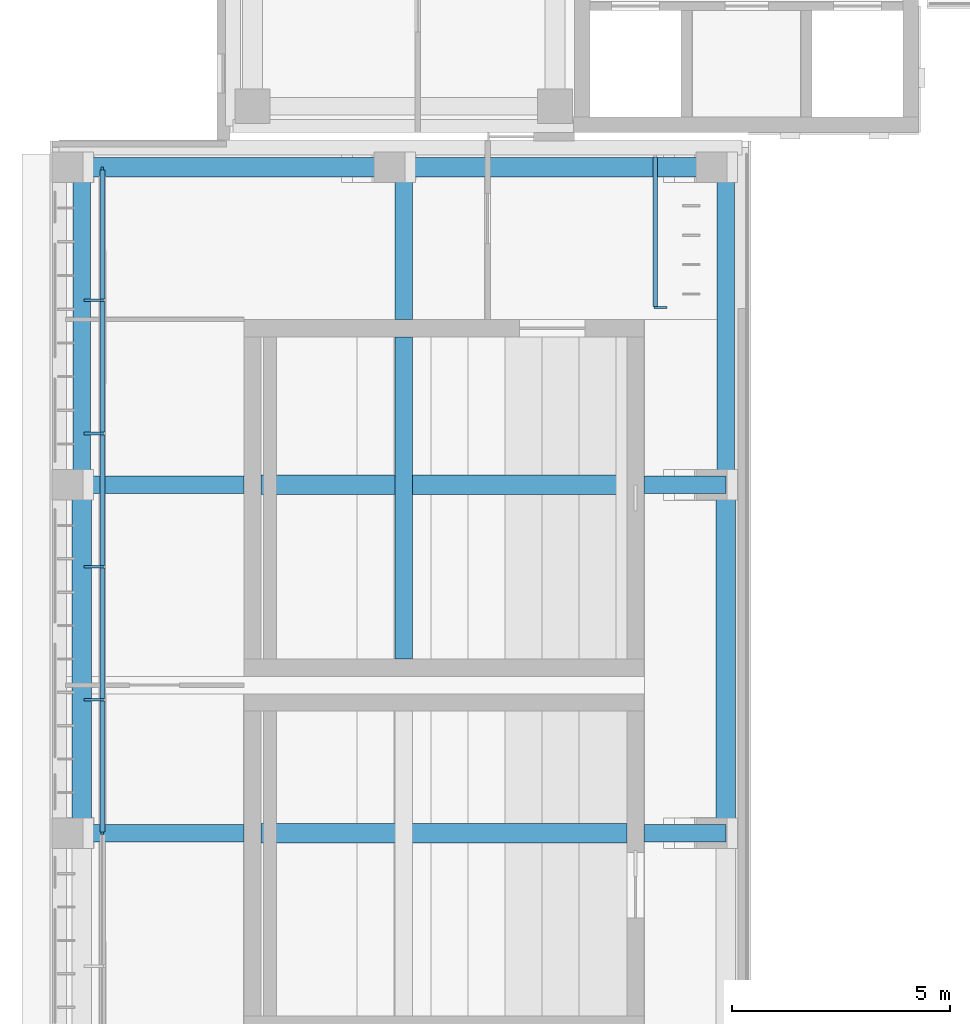
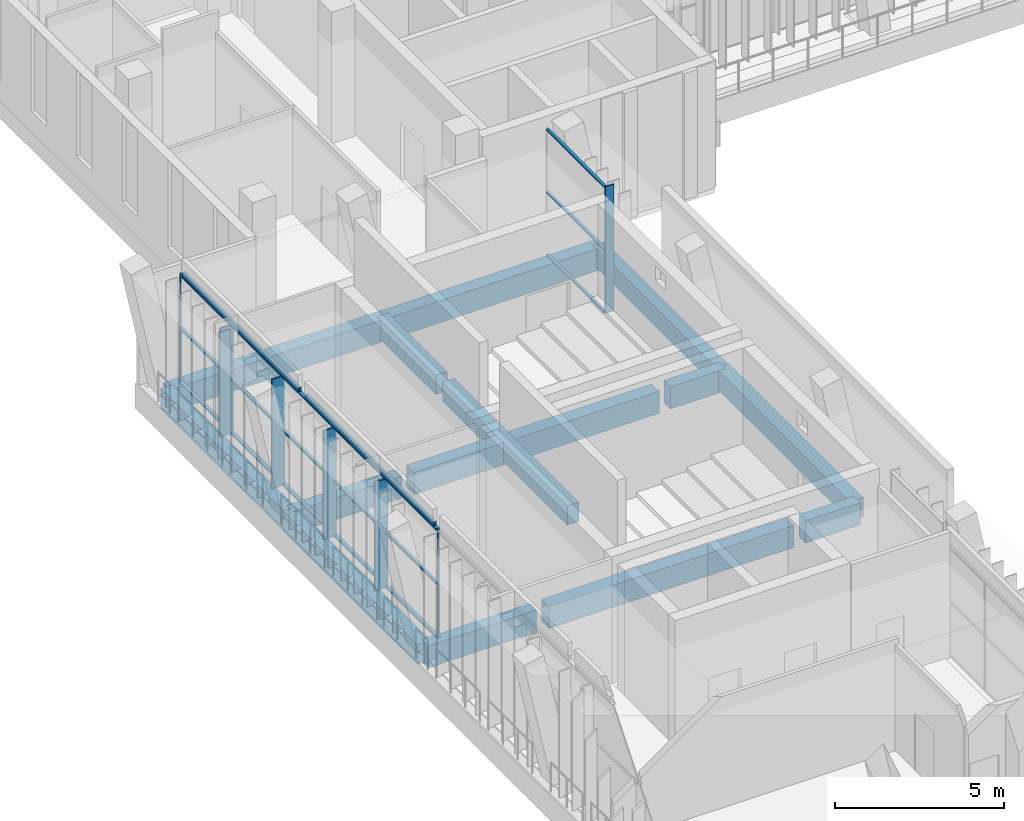
# One storey, part 19 of 74: 25 members, 16 beams, 2 elements without a shape of their own.
"""IFC4 building model written with IfcOpenShell, lengths in metres."""

from ifc_helpers import new_model, si_unit, direction, frame, origin, origin_2d, place, context, subcontext, project, spatial, rectangle, hollow_rectangle, extrude, material, material_profile, profile_set, type_object, element, aggregate, save


model = new_model("IFC4")

# Units and contexts
model_context = context("Model", 3, precision=1e-05, world=origin(), true_north=direction((0.0, 1.0)))
body_context = subcontext(model_context, "Body", "Model", "MODEL_VIEW")
ifc_project = project(units=[si_unit("LENGTHUNIT", "METRE"), si_unit("AREAUNIT", "SQUARE_METRE"), si_unit("VOLUMEUNIT", "CUBIC_METRE"), si_unit("PLANEANGLEUNIT", "RADIAN"), si_unit("MASSUNIT", "GRAM", prefix="KILO")], contexts=[model_context])

# Site, building, storey
site_placement = place(None, origin())
site = spatial("IfcSite", under=ifc_project, at=site_placement, CompositionType="ELEMENT")
building_placement = place(site_placement, origin())
building = spatial("IfcBuilding", under=site, at=building_placement, Name="Lantern Court Media Centre", CompositionType="ELEMENT")
storey_placement = place(building_placement, frame((0.0, 0.0, 19.199951171875)))
storey = spatial("IfcBuildingStorey", under=building, at=storey_placement, Name="L04", CompositionType="ELEMENT", Elevation=19.199951171875)

# Curtain wall, member
ifc_material_1 = material(Name="Curtain wall bay 2400")
curtain_wall_type_1 = type_object("IfcCurtainWallType", Name="Curtain wall bay 2400", PredefinedType="NOTDEFINED", material=ifc_material_1)
curtain_wall_1_placement = place(storey_placement, origin())
curtain_wall_1 = element("IfcCurtainWall", 1, at=curtain_wall_1_placement, inside=storey, type_object=curtain_wall_type_1, Name="Curtain wall W inner L04", PredefinedType="NOTDEFINED")
ifc_material_2 = material(Name="Anodised aluminium", Category="aluminium")
ifc_material_profile_1 = material_profile(ifc_material_2, rectangle(XDim=0.300048828125, YDim=0.050048828125, at=origin_2d()), Name="AL 50x300")
ifc_profile_set_1 = profile_set([ifc_material_profile_1], Name="Anodised aluminium")
member_type_1 = type_object("IfcMemberType", Name="Curtain wall mullion 50x300", PredefinedType="MULLION", material=ifc_profile_set_1)
member_1_placement = place(storey_placement, frame((17.969970703125, 92.074951171875, 0.0), z_axis=(0.0, 0.0, 1.0), x_axis=(-1.0, 0.0, 0.0)))
member_1 = element("IfcMember", 2, at=member_1_placement, type_object=member_type_1, Name="CW2 mullion 1", PredefinedType="MULLION", context=body_context, shape_type="SweptSolid", body=[
    extrude(rectangle(XDim=0.300048828125, YDim=0.050048828125, at=origin_2d()), origin(), (0.0, 0.0, 1.0), 4.580078125),
])

# Curtain wall, members
ifc_material_3 = material(Name="Curtain wall bay 3000")
curtain_wall_type_2 = type_object("IfcCurtainWallType", Name="Curtain wall bay 3000", PredefinedType="NOTDEFINED", material=ifc_material_3)
curtain_wall_2_placement = place(storey_placement, origin())
curtain_wall_2 = element("IfcCurtainWall", 3, at=curtain_wall_2_placement, inside=storey, type_object=curtain_wall_type_2, Name="Curtain wall W outer L04", PredefinedType="NOTDEFINED")
ifc_material_profile_2 = material_profile(ifc_material_2, rectangle(XDim=0.449951171875, YDim=0.06005859375, at=origin_2d()), Name="AL 60x450")
ifc_profile_set_2 = profile_set([ifc_material_profile_2], Name="Anodised aluminium")
member_type_2 = type_object("IfcMemberType", Name="Curtain wall mullion 60x450", PredefinedType="MULLION", material=ifc_profile_set_2)
member_2_placement = place(storey_placement, frame((4.955078125, 83.06005859375, 0.0), z_axis=(0.0, 0.0, 1.0), x_axis=(-1.0, 0.0, 0.0)))
member_2 = element("IfcMember", 4, at=member_2_placement, type_object=member_type_2, Name="CW1 mullion 7", PredefinedType="MULLION", context=body_context, shape_type="SweptSolid", body=[
    extrude(rectangle(XDim=0.449951171875, YDim=0.06005859375, at=origin_2d()), origin(), (0.0, 0.0, 1.0), 3.949951171875),
])
member_3_placement = place(storey_placement, frame((4.955078125, 86.1201171875, 0.0), z_axis=(0.0, 0.0, 1.0), x_axis=(-1.0, 0.0, 0.0)))
member_3 = element("IfcMember", 5, at=member_3_placement, type_object=member_type_2, Name="CW1 mullion 8", PredefinedType="MULLION", context=body_context, shape_type="SweptSolid", body=[
    extrude(rectangle(XDim=0.449951171875, YDim=0.06005859375, at=origin_2d()), origin(), (0.0, 0.0, 1.0), 3.949951171875),
])
member_4_placement = place(storey_placement, frame((4.955078125, 89.179931640625, 0.0), z_axis=(0.0, 0.0, 1.0), x_axis=(-1.0, 0.0, 0.0)))
member_4 = element("IfcMember", 6, at=member_4_placement, type_object=member_type_2, Name="CW1 mullion 9", PredefinedType="MULLION", context=body_context, shape_type="SweptSolid", body=[
    extrude(rectangle(XDim=0.449951171875, YDim=0.06005859375, at=origin_2d()), origin(), (0.0, 0.0, 1.0), 3.949951171875),
])
member_5_placement = place(storey_placement, frame((4.955078125, 92.239990234375, 0.0), z_axis=(0.0, 0.0, 1.0), x_axis=(-1.0, 0.0, 0.0)))
member_5 = element("IfcMember", 7, at=member_5_placement, type_object=member_type_2, Name="CW1 mullion 10", PredefinedType="MULLION", context=body_context, shape_type="SweptSolid", body=[
    extrude(rectangle(XDim=0.449951171875, YDim=0.06005859375, at=origin_2d()), origin(), (0.0, 0.0, 1.0), 3.949951171875),
])
ifc_material_profile_3 = material_profile(ifc_material_2, rectangle(XDim=0.06005859375, YDim=0.06005859375, at=origin_2d()), Name="AL 60x60")
ifc_profile_set_3 = profile_set([ifc_material_profile_3], Name="Anodised aluminium")
member_type_3 = type_object("IfcMemberType", Name="Curtain wall mullion 60x60", PredefinedType="MULLION", material=ifc_profile_set_3)
member_6_placement = place(storey_placement, frame((5.14990234375, 80.0, 0.0), z_axis=(0.0, 0.0, 1.0), x_axis=(-1.0, 0.0, 0.0)))
member_6 = element("IfcMember", 8, at=member_6_placement, type_object=member_type_3, Name="CW1 mullion 6", PredefinedType="MULLION", context=body_context, shape_type="SweptSolid", body=[
    extrude(rectangle(XDim=0.06005859375, YDim=0.06005859375, at=origin_2d()), origin(), (0.0, 0.0, 1.0), 3.949951171875),
])
member_7_placement = place(storey_placement, frame((5.14990234375, 95.27001953125, 0.0), z_axis=(0.0, 0.0, 1.0), x_axis=(-1.0, 0.0, 0.0)))
member_7 = element("IfcMember", 9, at=member_7_placement, type_object=member_type_3, Name="CW1 mullion 11", PredefinedType="MULLION", context=body_context, shape_type="SweptSolid", body=[
    extrude(rectangle(XDim=0.06005859375, YDim=0.06005859375, at=origin_2d()), origin(), (0.0, 0.0, 1.0), 3.949951171875),
])

# Member
ifc_material_profile_4 = material_profile(ifc_material_2, rectangle(XDim=0.10009765625, YDim=0.050048828125, at=origin_2d()), Name="AL 50x100")
ifc_profile_set_4 = profile_set([ifc_material_profile_4], Name="Anodised aluminium")
member_type_4 = type_object("IfcMemberType", Name="Curtain wall transom 100x50", PredefinedType="USERDEFINED", material=ifc_profile_set_4)
member_8_placement = place(storey_placement, frame((17.85009765625, 92.10009765625, 0.025146484375), z_axis=(0.0, 1.0, 0.0), x_axis=(-1.0, 0.0, 0.0)))
member_8 = element("IfcMember", 10, at=member_8_placement, type_object=member_type_4, Name="CW2 transom 1.1", ObjectType="TRANSOM", PredefinedType="USERDEFINED", context=body_context, shape_type="SweptSolid", body=[
    extrude(rectangle(XDim=0.10009765625, YDim=0.050048828125, at=origin_2d()), origin(), (0.0, 0.0, 1.0), 3.429931640625),
])

member_9_placement = place(storey_placement, frame((17.85009765625, 92.10009765625, 2.2900390625), z_axis=(0.0, 1.0, 0.0), x_axis=(-1.0, 0.0, 0.0)))
member_9 = element("IfcMember", 11, at=member_9_placement, type_object=member_type_4, Name="CW2 transom 1.2", ObjectType="TRANSOM", PredefinedType="USERDEFINED", context=body_context, shape_type="SweptSolid", body=[
    extrude(rectangle(XDim=0.10009765625, YDim=0.050048828125, at=origin_2d()), origin(), (0.0, 0.0, 1.0), 3.429931640625),
])

member_10_placement = place(storey_placement, frame((17.85009765625, 92.10009765625, 4.554931640625), z_axis=(0.0, 1.0, 0.0), x_axis=(-1.0, 0.0, 0.0)))
member_10 = element("IfcMember", 12, at=member_10_placement, type_object=member_type_4, Name="CW2 transom 1.3", ObjectType="TRANSOM", PredefinedType="USERDEFINED", context=body_context, shape_type="SweptSolid", body=[
    extrude(rectangle(XDim=0.10009765625, YDim=0.050048828125, at=origin_2d()), origin(), (0.0, 0.0, 1.0), 3.429931640625),
])

aggregate(curtain_wall_1, [member_1, member_8, member_9, member_10])

ifc_material_profile_5 = material_profile(ifc_material_2, rectangle(XDim=0.1201171875, YDim=0.06005859375, at=origin_2d()), Name="AL 60x120")
ifc_profile_set_5 = profile_set([ifc_material_profile_5], Name="Anodised aluminium")
member_type_5 = type_object("IfcMemberType", Name="Curtain wall transom 60x120", PredefinedType="USERDEFINED", material=ifc_profile_set_5)
member_11_placement = place(storey_placement, frame((5.14990234375, 80.030029296875, 0.030029296875), z_axis=(0.0, 1.0, 0.0), x_axis=(-1.0, 0.0, 0.0)))
member_11 = element("IfcMember", 13, at=member_11_placement, type_object=member_type_5, Name="CW1 transom 6.1", ObjectType="TRANSOM", PredefinedType="USERDEFINED", context=body_context, shape_type="SweptSolid", body=[
    extrude(rectangle(XDim=0.1201171875, YDim=0.06005859375, at=origin_2d()), origin(), (0.0, 0.0, 1.0), 3.0),
])

member_12_placement = place(storey_placement, frame((5.14990234375, 80.030029296875, 1.97509765625), z_axis=(0.0, 1.0, 0.0), x_axis=(-1.0, 0.0, 0.0)))
member_12 = element("IfcMember", 14, at=member_12_placement, type_object=member_type_5, Name="CW1 transom 6.2", ObjectType="TRANSOM", PredefinedType="USERDEFINED", context=body_context, shape_type="SweptSolid", body=[
    extrude(rectangle(XDim=0.1201171875, YDim=0.06005859375, at=origin_2d()), origin(), (0.0, 0.0, 1.0), 3.0),
])

member_13_placement = place(storey_placement, frame((5.14990234375, 80.030029296875, 3.920166015625), z_axis=(0.0, 1.0, 0.0), x_axis=(-1.0, 0.0, 0.0)))
member_13 = element("IfcMember", 15, at=member_13_placement, type_object=member_type_5, Name="CW1 transom 6.3", ObjectType="TRANSOM", PredefinedType="USERDEFINED", context=body_context, shape_type="SweptSolid", body=[
    extrude(rectangle(XDim=0.1201171875, YDim=0.06005859375, at=origin_2d()), origin(), (0.0, 0.0, 1.0), 3.0),
])

member_14_placement = place(storey_placement, frame((5.14990234375, 83.090087890625, 0.030029296875), z_axis=(0.0, 1.0, 0.0), x_axis=(-1.0, 0.0, 0.0)))
member_14 = element("IfcMember", 16, at=member_14_placement, type_object=member_type_5, Name="CW1 transom 7.1", ObjectType="TRANSOM", PredefinedType="USERDEFINED", context=body_context, shape_type="SweptSolid", body=[
    extrude(rectangle(XDim=0.1201171875, YDim=0.06005859375, at=origin_2d()), origin(), (0.0, 0.0, 1.0), 3.0),
])

member_15_placement = place(storey_placement, frame((5.14990234375, 83.090087890625, 1.97509765625), z_axis=(0.0, 1.0, 0.0), x_axis=(-1.0, 0.0, 0.0)))
member_15 = element("IfcMember", 17, at=member_15_placement, type_object=member_type_5, Name="CW1 transom 7.2", ObjectType="TRANSOM", PredefinedType="USERDEFINED", context=body_context, shape_type="SweptSolid", body=[
    extrude(rectangle(XDim=0.1201171875, YDim=0.06005859375, at=origin_2d()), origin(), (0.0, 0.0, 1.0), 3.0),
])

member_16_placement = place(storey_placement, frame((5.14990234375, 83.090087890625, 3.920166015625), z_axis=(0.0, 1.0, 0.0), x_axis=(-1.0, 0.0, 0.0)))
member_16 = element("IfcMember", 18, at=member_16_placement, type_object=member_type_5, Name="CW1 transom 7.3", ObjectType="TRANSOM", PredefinedType="USERDEFINED", context=body_context, shape_type="SweptSolid", body=[
    extrude(rectangle(XDim=0.1201171875, YDim=0.06005859375, at=origin_2d()), origin(), (0.0, 0.0, 1.0), 3.0),
])

member_17_placement = place(storey_placement, frame((5.14990234375, 86.14990234375, 0.030029296875), z_axis=(0.0, 1.0, 0.0), x_axis=(-1.0, 0.0, 0.0)))
member_17 = element("IfcMember", 19, at=member_17_placement, type_object=member_type_5, Name="CW1 transom 8.1", ObjectType="TRANSOM", PredefinedType="USERDEFINED", context=body_context, shape_type="SweptSolid", body=[
    extrude(rectangle(XDim=0.1201171875, YDim=0.06005859375, at=origin_2d()), origin(), (0.0, 0.0, 1.0), 3.0),
])

member_18_placement = place(storey_placement, frame((5.14990234375, 86.14990234375, 1.97509765625), z_axis=(0.0, 1.0, 0.0), x_axis=(-1.0, 0.0, 0.0)))
member_18 = element("IfcMember", 20, at=member_18_placement, type_object=member_type_5, Name="CW1 transom 8.2", ObjectType="TRANSOM", PredefinedType="USERDEFINED", context=body_context, shape_type="SweptSolid", body=[
    extrude(rectangle(XDim=0.1201171875, YDim=0.06005859375, at=origin_2d()), origin(), (0.0, 0.0, 1.0), 3.0),
])

member_19_placement = place(storey_placement, frame((5.14990234375, 86.14990234375, 3.920166015625), z_axis=(0.0, 1.0, 0.0), x_axis=(-1.0, 0.0, 0.0)))
member_19 = element("IfcMember", 21, at=member_19_placement, type_object=member_type_5, Name="CW1 transom 8.3", ObjectType="TRANSOM", PredefinedType="USERDEFINED", context=body_context, shape_type="SweptSolid", body=[
    extrude(rectangle(XDim=0.1201171875, YDim=0.06005859375, at=origin_2d()), origin(), (0.0, 0.0, 1.0), 3.0),
])

member_20_placement = place(storey_placement, frame((5.14990234375, 89.2099609375, 0.030029296875), z_axis=(0.0, 1.0, 0.0), x_axis=(-1.0, 0.0, 0.0)))
member_20 = element("IfcMember", 22, at=member_20_placement, type_object=member_type_5, Name="CW1 transom 9.1", ObjectType="TRANSOM", PredefinedType="USERDEFINED", context=body_context, shape_type="SweptSolid", body=[
    extrude(rectangle(XDim=0.1201171875, YDim=0.06005859375, at=origin_2d()), origin(), (0.0, 0.0, 1.0), 3.0),
])

member_21_placement = place(storey_placement, frame((5.14990234375, 89.2099609375, 1.97509765625), z_axis=(0.0, 1.0, 0.0), x_axis=(-1.0, 0.0, 0.0)))
member_21 = element("IfcMember", 23, at=member_21_placement, type_object=member_type_5, Name="CW1 transom 9.2", ObjectType="TRANSOM", PredefinedType="USERDEFINED", context=body_context, shape_type="SweptSolid", body=[
    extrude(rectangle(XDim=0.1201171875, YDim=0.06005859375, at=origin_2d()), origin(), (0.0, 0.0, 1.0), 3.0),
])

member_22_placement = place(storey_placement, frame((5.14990234375, 89.2099609375, 3.920166015625), z_axis=(0.0, 1.0, 0.0), x_axis=(-1.0, 0.0, 0.0)))
member_22 = element("IfcMember", 24, at=member_22_placement, type_object=member_type_5, Name="CW1 transom 9.3", ObjectType="TRANSOM", PredefinedType="USERDEFINED", context=body_context, shape_type="SweptSolid", body=[
    extrude(rectangle(XDim=0.1201171875, YDim=0.06005859375, at=origin_2d()), origin(), (0.0, 0.0, 1.0), 3.0),
])

member_23_placement = place(storey_placement, frame((5.14990234375, 92.27001953125, 0.030029296875), z_axis=(0.0, 1.0, 0.0), x_axis=(-1.0, 0.0, 0.0)))
member_23 = element("IfcMember", 25, at=member_23_placement, type_object=member_type_5, Name="CW1 transom 10.1", ObjectType="TRANSOM", PredefinedType="USERDEFINED", context=body_context, shape_type="SweptSolid", body=[
    extrude(rectangle(XDim=0.1201171875, YDim=0.06005859375, at=origin_2d()), origin(), (0.0, 0.0, 1.0), 2.969970703125),
])

member_24_placement = place(storey_placement, frame((5.14990234375, 92.27001953125, 1.97509765625), z_axis=(0.0, 1.0, 0.0), x_axis=(-1.0, 0.0, 0.0)))
member_24 = element("IfcMember", 26, at=member_24_placement, type_object=member_type_5, Name="CW1 transom 10.2", ObjectType="TRANSOM", PredefinedType="USERDEFINED", context=body_context, shape_type="SweptSolid", body=[
    extrude(rectangle(XDim=0.1201171875, YDim=0.06005859375, at=origin_2d()), origin(), (0.0, 0.0, 1.0), 2.969970703125),
])

member_25_placement = place(storey_placement, frame((5.14990234375, 92.27001953125, 3.920166015625), z_axis=(0.0, 1.0, 0.0), x_axis=(-1.0, 0.0, 0.0)))
member_25 = element("IfcMember", 27, at=member_25_placement, type_object=member_type_5, Name="CW1 transom 10.3", ObjectType="TRANSOM", PredefinedType="USERDEFINED", context=body_context, shape_type="SweptSolid", body=[
    extrude(rectangle(XDim=0.1201171875, YDim=0.06005859375, at=origin_2d()), origin(), (0.0, 0.0, 1.0), 2.969970703125),
])

aggregate(curtain_wall_2, [member_6, member_2, member_3, member_4, member_5, member_7, member_11, member_12, member_13, member_14, member_15, member_16, member_17, member_18, member_19, member_20, member_21, member_22, member_23, member_24, member_25])

# Beams
ifc_material_4 = material(Name="Steel S355J2 (EN 10025-2)", Category="steel")
ifc_material_profile_6 = material_profile(ifc_material_4, hollow_rectangle(XDim=0.10009765625, YDim=0.14990234375, WallThickness=0.00634765625, InnerFilletRadius=0.00634765625, OuterFilletRadius=0.009521484375, at=origin_2d()), Name="Facade head lintel RHS 150x100x6.3")
ifc_profile_set_6 = profile_set([ifc_material_profile_6], Name="Steel S355J2 (EN 10025-2)")
beam_type_1 = type_object("IfcBeamType", Name="Facade head lintel RHS 150x100x6.3", PredefinedType="BEAM", material=ifc_profile_set_6)
beam_1_placement = place(storey_placement, frame((5.14990234375, 80.199951171875, 4.025146484375), z_axis=(0.0, 1.0, 0.0), x_axis=(-1.0, 0.0, 0.0)))
element("IfcBeam", 28, at=beam_1_placement, inside=storey, type_object=beam_type_1, Name="Facade head lintel W L04", PredefinedType="BEAM", context=body_context, shape_type="SweptSolid", body=[
    extrude(hollow_rectangle(XDim=0.10009765625, YDim=0.14990234375, WallThickness=0.00634765625, InnerFilletRadius=0.00634765625, OuterFilletRadius=0.009521484375, at=origin_2d()), origin(), (0.0, 0.0, 1.0), 7.60009765625),
])
beam_2_placement = place(storey_placement, frame((5.14990234375, 88.199951171875, 4.025146484375), z_axis=(0.0, 1.0, 0.0), x_axis=(-1.0, 0.0, 0.0)))
element("IfcBeam", 29, at=beam_2_placement, inside=storey, type_object=beam_type_1, Name="Facade head lintel W L04", PredefinedType="BEAM", context=body_context, shape_type="SweptSolid", body=[
    extrude(hollow_rectangle(XDim=0.10009765625, YDim=0.14990234375, WallThickness=0.00634765625, InnerFilletRadius=0.00634765625, OuterFilletRadius=0.009521484375, at=origin_2d()), origin(), (0.0, 0.0, 1.0), 6.900146484375),
])
ifc_material_5 = material(Name="Concrete C35", Category="concrete")
ifc_material_profile_7 = material_profile(ifc_material_5, rectangle(XDim=0.39990234375, YDim=0.699951171875, at=origin_2d()), Name="RC 400x700")
ifc_profile_set_7 = profile_set([ifc_material_profile_7], Name="Concrete C35")
beam_type_2 = type_object("IfcBeamType", Name="RC BEAM 400x700", PredefinedType="BEAM", material=ifc_profile_set_7)
beam_3_placement = place(storey_placement, frame((4.6728515625, 88.0, -0.349853515625), z_axis=(0.0, 1.0, 0.0), x_axis=(-1.0, 0.0, 0.0)))
element("IfcBeam", 30, at=beam_3_placement, inside=storey, type_object=beam_type_2, Name="LB-W-L04-0-3", PredefinedType="BEAM", context=body_context, shape_type="SweptSolid", body=[
    extrude(rectangle(XDim=0.39990234375, YDim=0.699951171875, at=origin_2d()), origin(), (0.0, 0.0, 1.0), 7.300048828125),
])
beam_4_placement = place(storey_placement, frame((12.072998046875, 84.0, -0.349853515625), z_axis=(0.0, 1.0, 0.0), x_axis=(-1.0, 0.0, 0.0)))
element("IfcBeam", 31, at=beam_4_placement, inside=storey, type_object=beam_type_2, Name="LB-W-L04-1-02", PredefinedType="BEAM", context=body_context, shape_type="SweptSolid", body=[
    extrude(rectangle(XDim=0.39990234375, YDim=0.699951171875, at=origin_2d()), origin(), (0.0, 0.0, 1.0), 7.39990234375),
])
beam_5_placement = place(storey_placement, frame((12.072998046875, 91.800048828125, -0.349853515625), z_axis=(0.0, 1.0, 0.0), x_axis=(-1.0, 0.0, 0.0)))
element("IfcBeam", 32, at=beam_5_placement, inside=storey, type_object=beam_type_2, Name="LB-W-L04-1-03", PredefinedType="BEAM", context=body_context, shape_type="SweptSolid", body=[
    extrude(rectangle(XDim=0.39990234375, YDim=0.699951171875, at=origin_2d()), origin(), (0.0, 0.0, 1.0), 3.5),
])
beam_6_placement = place(storey_placement, frame((19.472900390625, 88.0, -0.349853515625), z_axis=(0.0, 1.0, 0.0), x_axis=(-1.0, 0.0, 0.0)))
element("IfcBeam", 33, at=beam_6_placement, inside=storey, type_object=beam_type_2, Name="LB-W-L04-2-3", PredefinedType="BEAM", context=body_context, shape_type="SweptSolid", body=[
    extrude(rectangle(XDim=0.39990234375, YDim=0.699951171875, at=origin_2d()), origin(), (0.0, 0.0, 1.0), 7.300048828125),
])
ifc_material_profile_8 = material_profile(ifc_material_5, rectangle(XDim=0.39990234375, YDim=0.800048828125, at=origin_2d()), Name="RC 400x800")
ifc_profile_set_8 = profile_set([ifc_material_profile_8], Name="Concrete C35")
beam_type_3 = type_object("IfcBeamType", Name="RC BEAM 400x800", PredefinedType="BEAM", material=ifc_profile_set_8)
beam_7_placement = place(storey_placement, frame((4.683349609375, 80.0, -0.39990234375), z_axis=(1.0, 0.0, 0.0), x_axis=(0.0, 1.0, 0.0)))
element("IfcBeam", 34, at=beam_7_placement, inside=storey, type_object=beam_type_3, Name="TB-W-L04-2-1", PredefinedType="BEAM", context=body_context, shape_type="SweptSolid", body=[
    extrude(rectangle(XDim=0.39990234375, YDim=0.800048828125, at=origin_2d()), origin(), (0.0, 0.0, 1.0), 3.716552734375),
])
beam_8_placement = place(storey_placement, frame((17.60009765625, 80.0, -0.39990234375), z_axis=(1.0, 0.0, 0.0), x_axis=(0.0, 1.0, 0.0)))
element("IfcBeam", 35, at=beam_8_placement, inside=storey, type_object=beam_type_3, Name="TB-W-L04-2-12", PredefinedType="BEAM", context=body_context, shape_type="SweptSolid", body=[
    extrude(rectangle(XDim=0.39990234375, YDim=0.800048828125, at=origin_2d()), origin(), (0.0, 0.0, 1.0), 1.88330078125),
])
beam_9_placement = place(storey_placement, frame((4.683349609375, 88.0, -0.39990234375), z_axis=(1.0, 0.0, 0.0), x_axis=(0.0, 1.0, 0.0)))
element("IfcBeam", 36, at=beam_9_placement, inside=storey, type_object=beam_type_3, Name="TB-W-L04-3-1", PredefinedType="BEAM", context=body_context, shape_type="SweptSolid", body=[
    extrude(rectangle(XDim=0.39990234375, YDim=0.800048828125, at=origin_2d()), origin(), (0.0, 0.0, 1.0), 3.716552734375),
])
beam_10_placement = place(storey_placement, frame((17.60009765625, 88.0, -0.39990234375), z_axis=(1.0, 0.0, 0.0), x_axis=(0.0, 1.0, 0.0)))
element("IfcBeam", 37, at=beam_10_placement, inside=storey, type_object=beam_type_3, Name="TB-W-L04-3-12", PredefinedType="BEAM", context=body_context, shape_type="SweptSolid", body=[
    extrude(rectangle(XDim=0.39990234375, YDim=0.800048828125, at=origin_2d()), origin(), (0.0, 0.0, 1.0), 1.88330078125),
])
ifc_material_profile_9 = material_profile(ifc_material_5, rectangle(XDim=0.449951171875, YDim=0.699951171875, at=origin_2d()), Name="RC 450x700")
ifc_profile_set_9 = profile_set([ifc_material_profile_9], Name="Concrete C35")
beam_type_4 = type_object("IfcBeamType", Name="RC BEAM 450x700", PredefinedType="BEAM", material=ifc_profile_set_9)
for number, where, z_axis, x_axis, name in (
    (38, (4.6728515625, 80.0, -0.349853515625), (0.0, 1.0, 0.0), (-1.0, 0.0, 0.0), "LB-W-L04-0-2"),
    (39, (19.472900390625, 80.0, -0.349853515625), (0.0, 1.0, 0.0), (-1.0, 0.0, 0.0), "LB-W-L04-2-2"),
):
    element("IfcBeam", number, at=place(storey_placement, frame(where, z_axis=z_axis, x_axis=x_axis)), inside=storey, type_object=beam_type_4, Name=name, PredefinedType="BEAM", context=body_context, shape_type="SweptSolid", body=[
        extrude(rectangle(XDim=0.449951171875, YDim=0.699951171875, at=origin_2d()), origin(), (0.0, 0.0, 1.0), 8.0),
    ])
ifc_material_profile_10 = material_profile(ifc_material_5, rectangle(XDim=0.449951171875, YDim=0.800048828125, at=origin_2d()), Name="RC 450x800")
ifc_profile_set_10 = profile_set([ifc_material_profile_10], Name="Concrete C35")
beam_type_5 = type_object("IfcBeamType", Name="RC BEAM 450x800", PredefinedType="BEAM", material=ifc_profile_set_10)
for number, where, z_axis, x_axis, name in (
    (40, (8.800048828125, 80.0, -0.39990234375), (1.0, 0.0, 0.0), (0.0, 1.0, 0.0), "TB-W-L04-2-11"),
    (41, (8.800048828125, 88.0, -0.39990234375), (1.0, 0.0, 0.0), (0.0, 1.0, 0.0), "TB-W-L04-3-11"),
):
    element("IfcBeam", number, at=place(storey_placement, frame(where, z_axis=z_axis, x_axis=x_axis)), inside=storey, type_object=beam_type_5, Name=name, PredefinedType="BEAM", context=body_context, shape_type="SweptSolid", body=[
        extrude(rectangle(XDim=0.449951171875, YDim=0.800048828125, at=origin_2d()), origin(), (0.0, 0.0, 1.0), 8.39990234375),
    ])
beam_11_placement = place(storey_placement, frame((4.683349609375, 95.300048828125, -0.39990234375), z_axis=(1.0, 0.0, 0.0), x_axis=(0.0, 1.0, 0.0)))
element("IfcBeam", 42, at=beam_11_placement, inside=storey, type_object=beam_type_5, Name="TB-W-L04-4-1", PredefinedType="BEAM", context=body_context, shape_type="SweptSolid", body=[
    extrude(rectangle(XDim=0.449951171875, YDim=0.800048828125, at=origin_2d()), origin(), (0.0, 0.0, 1.0), 7.39990234375),
])
beam_12_placement = place(storey_placement, frame((12.083251953125, 95.300048828125, -0.39990234375), z_axis=(1.0, 0.0, 0.0), x_axis=(0.0, 1.0, 0.0)))
element("IfcBeam", 43, at=beam_12_placement, inside=storey, type_object=beam_type_5, Name="TB-W-L04-4-2", PredefinedType="BEAM", context=body_context, shape_type="SweptSolid", body=[
    extrude(rectangle(XDim=0.449951171875, YDim=0.800048828125, at=origin_2d()), origin(), (0.0, 0.0, 1.0), 7.400146484375),
])

save(model, "model.ifc")
